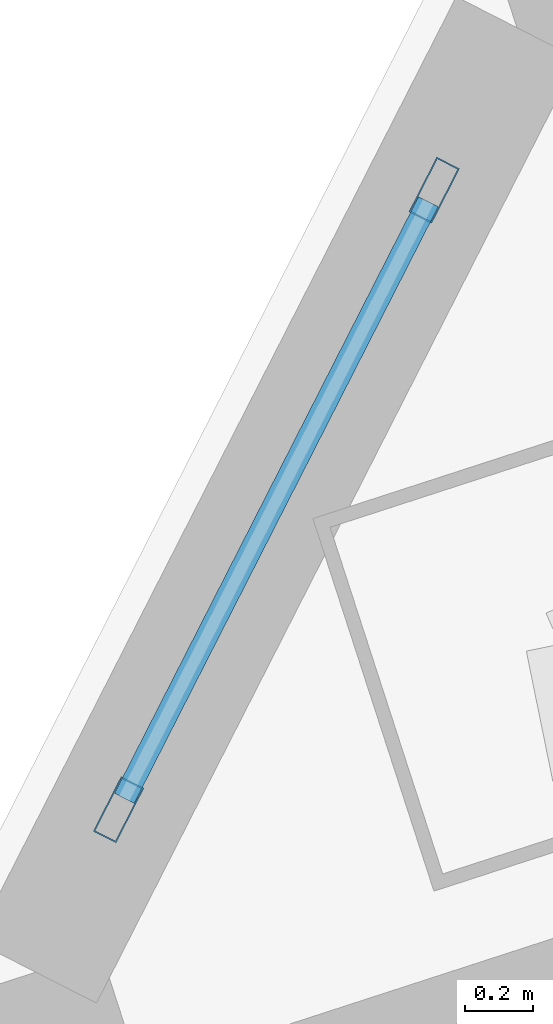
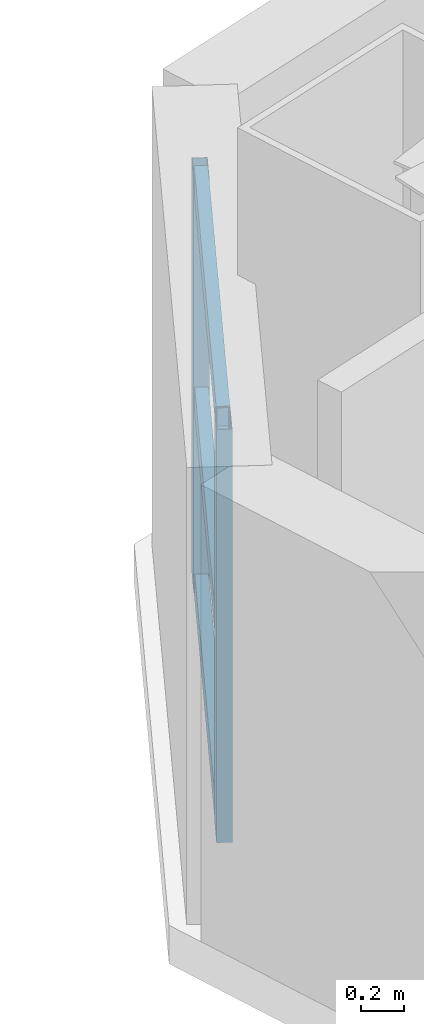
# One storey, part 10 of 25: 5 members, 1 element without a shape of its own.
"""IFC4 building model written with IfcOpenShell, lengths in metres."""

from ifc_helpers import new_model, si_unit, direction, frame, origin, origin_2d, place, context, subcontext, project, spatial, hollow_rectangle, extrude, material, layer, layer_set, material_profile, profile_set, type_object, element, aggregate, save


model = new_model("IFC4")

# Units and contexts
model_context = context("Model", 3, precision=1e-05, world=origin(), true_north=direction((0.0, 1.0)))
body_context = subcontext(model_context, "Body", "Model", "MODEL_VIEW")
ifc_project = project(units=[si_unit("LENGTHUNIT", "METRE"), si_unit("AREAUNIT", "SQUARE_METRE"), si_unit("VOLUMEUNIT", "CUBIC_METRE"), si_unit("PLANEANGLEUNIT", "RADIAN"), si_unit("MASSUNIT", "GRAM", prefix="KILO")], contexts=[model_context])

# Site, building, storey
site_placement = place(None, origin())
site = spatial("IfcSite", under=ifc_project, at=site_placement, CompositionType="ELEMENT")
building_placement = place(site_placement, origin())
building = spatial("IfcBuilding", under=site, at=building_placement, Name="Qiaolan Cultural Towers", CompositionType="ELEMENT")
storey_placement = place(building_placement, frame((0.0, 0.0, 202.39990234375)))
storey = spatial("IfcBuildingStorey", under=building, at=storey_placement, Name="L54", CompositionType="ELEMENT", Elevation=202.39990234375)

# Curtain wall, members
ifc_material_1 = material(Name="Unitized Anodized Aluminium Curtain Wall System", Category="aluminium")
ifc_layer = layer(ifc_material_1, 0.199951171875)
ifc_layer_set = layer_set([ifc_layer], Name="Unitized Anodized Aluminium Curtain Wall System")
curtain_wall_type = type_object("IfcCurtainWallType", Name="CWS-05", PredefinedType="NOTDEFINED", material=ifc_layer_set)
curtain_wall_placement = place(storey_placement, origin())
curtain_wall = element("IfcCurtainWall", 1, at=curtain_wall_placement, inside=storey, type_object=curtain_wall_type, Name="L54 T2 Chamfer Wind-Corner Feature Curtain Wall 1", PredefinedType="NOTDEFINED")
ifc_material_2 = material(Name="Extruded Aluminium 6063-T6", Category="aluminium")
ifc_material_profile_1 = material_profile(ifc_material_2, hollow_rectangle(XDim=0.074951171875, YDim=0.179931640625, WallThickness=0.00390625, at=origin_2d()), Name="CWM-180x75x4")
ifc_profile_set_1 = profile_set([ifc_material_profile_1], Name="Extruded Aluminium 6063-T6")
member_type_1 = type_object("IfcMemberType", Name="CWS-05-MUL", PredefinedType="MULLION", material=ifc_profile_set_1)
member_1_placement = place(storey_placement, frame((70.9951171875, 48.410888671875, 0.150146484375), z_axis=(0.0, 0.0, 1.0), x_axis=(-0.89100655078, 0.45399044755, 0.0)))
member_1 = element("IfcMember", 2, at=member_1_placement, type_object=member_type_1, Name="CW-5 mullion 1", PredefinedType="MULLION", context=body_context, shape_type="SweptSolid", body=[
    extrude(hollow_rectangle(XDim=0.074951171875, YDim=0.179931640625, WallThickness=0.00390625, at=origin_2d()), origin(), (0.0, 0.0, 1.0), 2.35986328125),
])
member_2_placement = place(storey_placement, frame((71.921630859375, 50.229248046875, 0.150146484375), z_axis=(0.0, 0.0, 1.0), x_axis=(-0.89100655078, 0.45399044755, 0.0)))
member_2 = element("IfcMember", 3, at=member_2_placement, type_object=member_type_1, Name="CW-5 mullion 2", PredefinedType="MULLION", context=body_context, shape_type="SweptSolid", body=[
    extrude(hollow_rectangle(XDim=0.074951171875, YDim=0.179931640625, WallThickness=0.00390625, at=origin_2d()), origin(), (0.0, 0.0, 1.0), 2.35986328125),
])
ifc_material_3 = material(Name="Extruded Aluminium 6063-T6", Category="aluminium")
ifc_material_profile_2 = material_profile(ifc_material_3, hollow_rectangle(XDim=0.06494140625, YDim=0.14990234375, WallThickness=0.00390625, at=origin_2d()), Name="CWT-150x65x4")
ifc_profile_set_2 = profile_set([ifc_material_profile_2], Name="Extruded Aluminium 6063-T6")
member_type_2 = type_object("IfcMemberType", Name="CWS-05-TRN", PredefinedType="USERDEFINED", material=ifc_profile_set_2)
member_3_placement = place(storey_placement, frame((71.01220703125, 48.4443359375, 0.1826171875), z_axis=(0.453957410805, 0.891023383069, 0.0), x_axis=(-0.891023383069, 0.453957410805, 0.0)))
member_3 = element("IfcMember", 4, at=member_3_placement, type_object=member_type_2, Name="CW-5 transom 1.1", ObjectType="TRANSOM", PredefinedType="USERDEFINED", context=body_context, shape_type="SweptSolid", body=[
    extrude(hollow_rectangle(XDim=0.06494140625, YDim=0.14990234375, WallThickness=0.00390625, at=origin_2d()), origin(), (0.0, 0.0, 1.0), 1.965576171875),
])
member_4_placement = place(storey_placement, frame((71.01220703125, 48.4443359375, 1.25), z_axis=(0.453957410805, 0.891023383069, 0.0), x_axis=(-0.891023383069, 0.453957410805, 0.0)))
member_4 = element("IfcMember", 5, at=member_4_placement, type_object=member_type_2, Name="CW-5 transom 1.2", ObjectType="TRANSOM", PredefinedType="USERDEFINED", context=body_context, shape_type="SweptSolid", body=[
    extrude(hollow_rectangle(XDim=0.06494140625, YDim=0.14990234375, WallThickness=0.00390625, at=origin_2d()), origin(), (0.0, 0.0, 1.0), 1.965576171875),
])
member_5_placement = place(storey_placement, frame((71.01220703125, 48.4443359375, 2.4775390625), z_axis=(0.453957410805, 0.891023383069, 0.0), x_axis=(-0.891023383069, 0.453957410805, 0.0)))
member_5 = element("IfcMember", 6, at=member_5_placement, type_object=member_type_2, Name="CW-5 transom 1.3", ObjectType="TRANSOM", PredefinedType="USERDEFINED", context=body_context, shape_type="SweptSolid", body=[
    extrude(hollow_rectangle(XDim=0.06494140625, YDim=0.14990234375, WallThickness=0.00390625, at=origin_2d()), origin(), (0.0, 0.0, 1.0), 1.965576171875),
])
aggregate(curtain_wall, [member_1, member_2, member_3, member_4, member_5])

save(model, "model.ifc")
